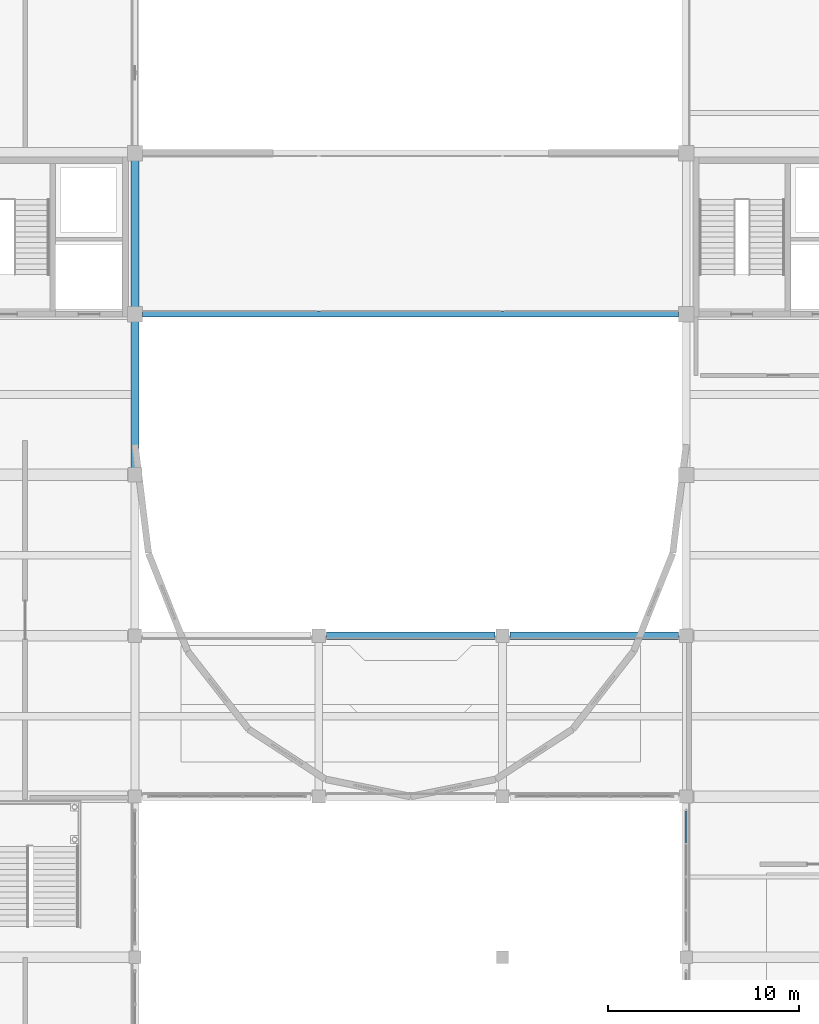
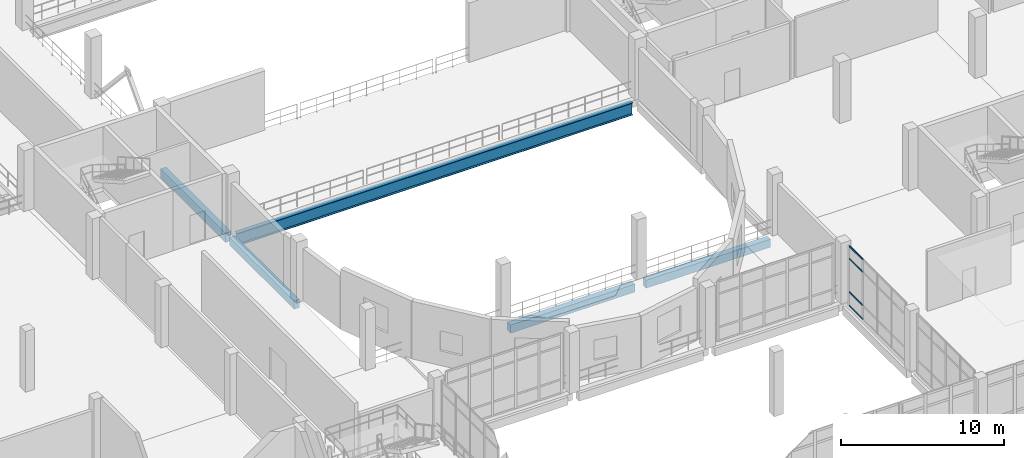
# One storey, part 47 of 102: 5 beams, 4 members, 1 element without a shape of its own.
"""IFC4 building model written with IfcOpenShell, lengths in metres."""

from ifc_helpers import new_model, si_unit, direction, frame, origin, origin_2d, place, context, subcontext, project, spatial, rectangle, hollow_rectangle, i_section, extrude, material, layer, layer_set, material_profile, profile_set, type_object, element, aggregate, save


model = new_model("IFC4")

# Units and contexts
model_context = context("Model", 3, precision=1e-05, world=origin(), true_north=direction((0.0, 1.0)))
body_context = subcontext(model_context, "Body", "Model", "MODEL_VIEW")
ifc_project = project(units=[si_unit("LENGTHUNIT", "METRE"), si_unit("AREAUNIT", "SQUARE_METRE"), si_unit("VOLUMEUNIT", "CUBIC_METRE"), si_unit("PLANEANGLEUNIT", "RADIAN"), si_unit("MASSUNIT", "GRAM", prefix="KILO")], contexts=[model_context])

# Site, building, storey
site_placement = place(None, origin())
site = spatial("IfcSite", under=ifc_project, at=site_placement, CompositionType="ELEMENT")
building_placement = place(site_placement, origin())
building = spatial("IfcBuilding", under=site, at=building_placement, Name="Lornevale Opera House", CompositionType="ELEMENT")
storey_placement = place(building_placement, frame((0.0, 0.0, 5.39990234375)))
storey = spatial("IfcBuildingStorey", under=building, at=storey_placement, Name="L02", CompositionType="ELEMENT", Elevation=5.39990234375)

# Beams
ifc_material_1 = material(Name="Concrete 35 MPa (CSA A23.1 N)", Category="concrete")
ifc_material_profile_1 = material_profile(ifc_material_1, rectangle(XDim=0.39990234375, YDim=0.699951171875, at=origin_2d()), Name="RC400x700")
ifc_profile_set_1 = profile_set([ifc_material_profile_1], Name="Concrete 35 MPa (CSA A23.1 N)")
beam_type_1 = type_object("IfcBeamType", Name="Concrete Floor Beam 400x700", PredefinedType="USERDEFINED", material=ifc_profile_set_1)
beam_1_placement = place(storey_placement, frame((67.199951171875, 59.050048828125, -0.64990234375), z_axis=(0.0, 1.0, 0.0), x_axis=(-1.0, 0.0, 0.0)))
element("IfcBeam", 1, at=beam_1_placement, inside=storey, type_object=beam_type_1, Name="Concrete Floor Beam 400x700 1896", ObjectType="GIRDER", PredefinedType="USERDEFINED", context=body_context, shape_type="SweptSolid", body=[
    extrude(rectangle(XDim=0.39990234375, YDim=0.699951171875, at=origin_2d()), origin(), (0.0, 0.0, 1.0), 7.949951171875),
])
ifc_material_profile_2 = material_profile(ifc_material_1, rectangle(XDim=0.39990234375, YDim=0.60009765625, at=origin_2d()), Name="RC400x600")
ifc_profile_set_2 = profile_set([ifc_material_profile_2], Name="Concrete 35 MPa (CSA A23.1 N)")
beam_type_2 = type_object("IfcBeamType", Name="Concrete Spandrel Beam 400x600", PredefinedType="SPANDREL", material=ifc_profile_set_2)
for number, where, z_axis, x_axis, name in (
    (2, (77.199951171875, 42.0, -0.599853515625), (1.0, 0.0, 0.0), (0.0, 1.0, 0.0), "Concrete Spandrel Beam 400x600 1727"),
    (3, (86.800048828125, 42.0, -0.599853515625), (1.0, 0.0, 0.0), (0.0, 1.0, 0.0), "Concrete Spandrel Beam 400x600 1728"),
):
    element("IfcBeam", number, at=place(storey_placement, frame(where, z_axis=z_axis, x_axis=x_axis)), inside=storey, type_object=beam_type_2, Name=name, PredefinedType="SPANDREL", context=body_context, shape_type="SweptSolid", body=[
        extrude(rectangle(XDim=0.39990234375, YDim=0.60009765625, at=origin_2d()), origin(), (0.0, 0.0, 1.0), 8.800048828125),
    ])
beam_2_placement = place(storey_placement, frame((67.199951171875, 50.64990234375, -0.599853515625), z_axis=(0.0, 1.0, 0.0), x_axis=(-1.0, 0.0, 0.0)))
element("IfcBeam", 4, at=beam_2_placement, inside=storey, type_object=beam_type_2, Name="Concrete Spandrel Beam 400x600 1895", PredefinedType="SPANDREL", context=body_context, shape_type="SweptSolid", body=[
    extrude(rectangle(XDim=0.39990234375, YDim=0.60009765625, at=origin_2d()), origin(), (0.0, 0.0, 1.0), 7.900146484375),
])

# Curtain wall, members
ifc_material_2 = material(Name="Anodized Oxide-Green Aluminium Framing", Category="aluminium")
ifc_layer = layer(ifc_material_2, 0.14990234375)
ifc_layer_set = layer_set([ifc_layer], Name="Anodized Oxide-Green Aluminium Framing")
curtain_wall_type = type_object("IfcCurtainWallType", Name="North-Light Clerestory Curtain Wall M1600", PredefinedType="NOTDEFINED", material=ifc_layer_set)
curtain_wall_placement = place(storey_placement, origin())
curtain_wall = element("IfcCurtainWall", 5, at=curtain_wall_placement, inside=storey, type_object=curtain_wall_type, Name="North-Light Clerestory Curtain Wall M1600 CW-173", PredefinedType="NOTDEFINED")
ifc_material_profile_3 = material_profile(ifc_material_2, hollow_rectangle(XDim=0.06005859375, YDim=0.114990234375, WallThickness=0.00390625, at=origin_2d()), Name="ALU60x115x4")
ifc_profile_set_3 = profile_set([ifc_material_profile_3], Name="Anodized Oxide-Green Aluminium Framing")
member_type = type_object("IfcMemberType", Name="Curtain Wall Transom 60x115", PredefinedType="USERDEFINED", material=ifc_profile_set_3)
member_1_placement = place(storey_placement, frame((96.0, 32.840087890625, 0.030029296875), z_axis=(0.0, -1.0, 0.0), x_axis=(1.0, 0.0, 0.0)))
member_1 = element("IfcMember", 6, at=member_1_placement, type_object=member_type, Name="Curtain Wall Transom 60x115 CW3530", ObjectType="TRANSOM", PredefinedType="USERDEFINED", context=body_context, shape_type="SweptSolid", body=[
    extrude(hollow_rectangle(XDim=0.06005859375, YDim=0.114990234375, WallThickness=0.00390625, at=origin_2d()), origin(), (0.0, 0.0, 1.0), 1.66015625),
])
member_2_placement = place(storey_placement, frame((96.0, 32.840087890625, 1.050048828125), z_axis=(0.0, -1.0, 0.0), x_axis=(1.0, 0.0, 0.0)))
member_2 = element("IfcMember", 7, at=member_2_placement, type_object=member_type, Name="Curtain Wall Transom 60x115 CW3531", ObjectType="TRANSOM", PredefinedType="USERDEFINED", context=body_context, shape_type="SweptSolid", body=[
    extrude(hollow_rectangle(XDim=0.06005859375, YDim=0.114990234375, WallThickness=0.00390625, at=origin_2d()), origin(), (0.0, 0.0, 1.0), 1.66015625),
])
member_3_placement = place(storey_placement, frame((96.0, 32.840087890625, 3.550048828125), z_axis=(0.0, -1.0, 0.0), x_axis=(1.0, 0.0, 0.0)))
member_3 = element("IfcMember", 8, at=member_3_placement, type_object=member_type, Name="Curtain Wall Transom 60x115 CW3532", ObjectType="TRANSOM", PredefinedType="USERDEFINED", context=body_context, shape_type="SweptSolid", body=[
    extrude(hollow_rectangle(XDim=0.06005859375, YDim=0.114990234375, WallThickness=0.00390625, at=origin_2d()), origin(), (0.0, 0.0, 1.0), 1.66015625),
])
member_4_placement = place(storey_placement, frame((96.0, 32.840087890625, 4.47021484375), z_axis=(0.0, -1.0, 0.0), x_axis=(1.0, 0.0, 0.0)))
member_4 = element("IfcMember", 9, at=member_4_placement, type_object=member_type, Name="Curtain Wall Transom 60x115 CW3533", ObjectType="TRANSOM", PredefinedType="USERDEFINED", context=body_context, shape_type="SweptSolid", body=[
    extrude(hollow_rectangle(XDim=0.06005859375, YDim=0.114990234375, WallThickness=0.00390625, at=origin_2d()), origin(), (0.0, 0.0, 1.0), 1.66015625),
])
aggregate(curtain_wall, [member_1, member_2, member_3, member_4])

# Beam
ifc_material_3 = material(Name="Structural Steel CSA G40.21 Grade 350W (350 MPa)", Category="steel")
ifc_material_profile_4 = material_profile(ifc_material_3, i_section(OverallWidth=0.305908203125, OverallDepth=0.9189453125, WebThickness=0.017333984375, FlangeThickness=0.02783203125, at=origin_2d()), Name="W920x253")
ifc_profile_set_4 = profile_set([ifc_material_profile_4], Name="Structural Steel CSA G40.21 Grade 350W (350 MPa)")
beam_type_3 = type_object("IfcBeamType", Name="Steel Stagehouse Girder W920x253", PredefinedType="USERDEFINED", material=ifc_profile_set_4)
beam_3_placement = place(storey_placement, frame((67.60009765625, 58.800048828125, -0.7744140625), z_axis=(1.0, 0.0, 0.0), x_axis=(0.0, 1.0, 0.0)))
element("IfcBeam", 10, at=beam_3_placement, inside=storey, type_object=beam_type_3, Name="Steel Stagehouse Girder W920x253 1749", ObjectType="GIRDER", PredefinedType="USERDEFINED", context=body_context, shape_type="SweptSolid", body=[
    extrude(i_section(OverallWidth=0.305908203125, OverallDepth=0.9189453125, WebThickness=0.017333984375, FlangeThickness=0.02783203125, at=origin_2d()), origin(), (0.0, 0.0, 1.0), 28.0),
])

save(model, "model.ifc")
